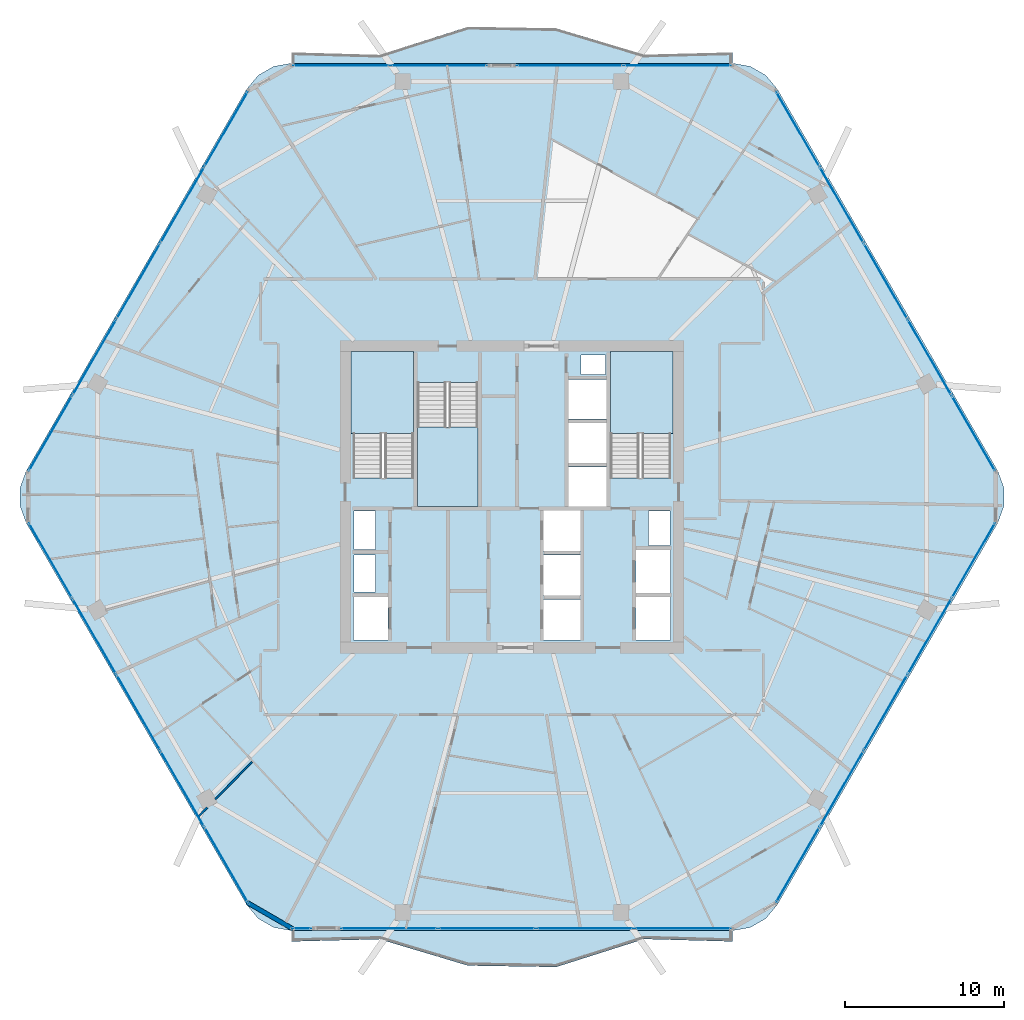
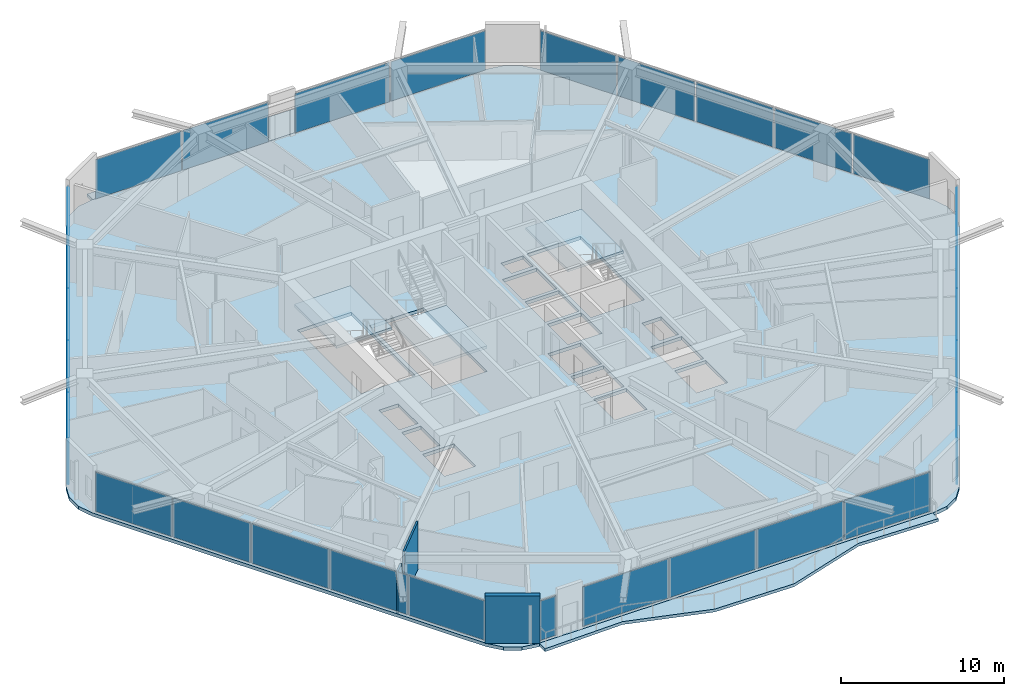
# One storey, part 18 of 27: 29 plates, 6 slabs, 3 walls, 11 elements without a shape of their own.
"""IFC4 building model written with IfcOpenShell, lengths in metres."""

from ifc_helpers import new_model, si_unit, direction, frame, frame_2d, origin, origin_2d, place, context, subcontext, project, spatial, polyline, rectangle, outline, extrude, material, layer, layer_set, type_object, element, aggregate, save


model = new_model("IFC4")

# Units and contexts
model_context = context("Model", 3, precision=1e-05, world=origin(), true_north=direction((0.0, 1.0)))
body_context = subcontext(model_context, "Body", "Model", "MODEL_VIEW")
ifc_project = project(units=[si_unit("LENGTHUNIT", "METRE"), si_unit("AREAUNIT", "SQUARE_METRE"), si_unit("VOLUMEUNIT", "CUBIC_METRE"), si_unit("PLANEANGLEUNIT", "RADIAN"), si_unit("MASSUNIT", "GRAM", prefix="KILO")], contexts=[model_context])

# Site, building, storey
site_placement = place(None, origin())
site = spatial("IfcSite", under=ifc_project, at=site_placement, CompositionType="ELEMENT")
building_placement = place(site_placement, origin())
building = spatial("IfcBuilding", under=site, at=building_placement, Name="Zuhravey Tower", CompositionType="ELEMENT")
storey_placement = place(building_placement, frame((0.0, 0.0, 173.199951171875)))
storey = spatial("IfcBuildingStorey", under=building, at=storey_placement, Name="L43", CompositionType="ELEMENT", Elevation=173.199951171875)

# Slabs
ifc_material_1 = material(Name="Concrete C50/60", Category="concrete")
ifc_layer_1 = layer(ifc_material_1, 0.25)
ifc_layer_set_1 = layer_set([ifc_layer_1], Name="Concrete C50/60")
slab_type_1 = type_object("IfcSlabType", Name="Residential Acoustic Slab 250", PredefinedType="FLOOR", material=ifc_layer_set_1)
slab_1_placement = place(storey_placement, frame((0.0, 0.0, -0.25)))
element("IfcSlab", 1, at=slab_1_placement, inside=storey, type_object=slab_type_1, Name="L43 Floor Slab FS25", PredefinedType="FLOOR", context=body_context, shape_type="SweptSolid", body=[
    extrude(outline(polyline([(66.61181640625, 30.375), (66.997802734375, 31.435546875), (66.997802734375, 32.564453125), (66.61181640625, 33.625), (52.713134765625, 57.697998046875), (51.98779296875, 58.562744140625), (51.01025390625, 59.127197265625), (49.898681640625, 59.322998046875), (22.101318359375, 59.322998046875), (20.98974609375, 59.127197265625), (20.01220703125, 58.562744140625), (19.286865234375, 57.697998046875), (5.38818359375, 33.625), (5.002197265625, 32.564453125), (5.002197265625, 31.435546875), (5.38818359375, 30.375), (19.286865234375, 6.302001953125), (20.01220703125, 5.437255859375), (20.98974609375, 4.872802734375), (22.101318359375, 4.677001953125), (49.898681640625, 4.677001953125), (51.01025390625, 4.872802734375), (51.98779296875, 5.437255859375), (52.713134765625, 6.302001953125), (66.61181640625, 30.375)]), holes=[polyline([(29.800048828125, 33.20068359375), (29.800048828125, 41.0), (26.0, 41.0), (26.0, 33.20068359375), (29.800048828125, 33.20068359375)]), polyline([(46.0, 33.20068359375), (46.0, 41.0), (42.199951171875, 41.0), (42.199951171875, 33.20068359375), (46.0, 33.20068359375)]), polyline([(30.050048828125, 39.199462890625), (30.050048828125, 31.39990234375), (33.85009765625, 31.39990234375), (33.85009765625, 39.199462890625), (30.050048828125, 39.199462890625)]), polyline([(38.0, 23.0), (40.300048828125, 23.0), (40.300048828125, 25.550048828125), (38.0, 25.550048828125), (38.0, 23.0)]), polyline([(38.0, 25.800048828125), (40.300048828125, 25.800048828125), (40.300048828125, 28.35009765625), (38.0, 28.35009765625), (38.0, 25.800048828125)]), polyline([(38.0, 28.60009765625), (40.300048828125, 28.60009765625), (40.300048828125, 31.14990234375), (38.0, 31.14990234375), (38.0, 28.60009765625)]), polyline([(39.550048828125, 31.39990234375), (41.949951171875, 31.39990234375), (41.949951171875, 33.89990234375), (39.550048828125, 33.89990234375), (39.550048828125, 31.39990234375)]), polyline([(39.550048828125, 34.14990234375), (41.949951171875, 34.14990234375), (41.949951171875, 36.64990234375), (39.550048828125, 36.64990234375), (39.550048828125, 34.14990234375)]), polyline([(39.550048828125, 36.89990234375), (41.949951171875, 36.89990234375), (41.949951171875, 39.39990234375), (39.550048828125, 39.39990234375), (39.550048828125, 36.89990234375)]), polyline([(26.0, 23.0), (28.199951171875, 23.0), (28.199951171875, 25.699951171875), (26.0, 25.699951171875), (26.0, 23.0)]), polyline([(43.800048828125, 23.0), (46.0, 23.0), (46.0, 25.699951171875), (43.800048828125, 25.699951171875), (43.800048828125, 23.0)]), polyline([(43.800048828125, 25.949951171875), (46.0, 25.949951171875), (46.0, 28.64990234375), (43.800048828125, 28.64990234375), (43.800048828125, 25.949951171875)]), polyline([(26.050048828125, 26.0), (27.39990234375, 26.0), (27.39990234375, 28.35009765625), (26.050048828125, 28.35009765625), (26.050048828125, 26.0)]), polyline([(26.050048828125, 28.699951171875), (27.39990234375, 28.699951171875), (27.39990234375, 31.10009765625), (26.050048828125, 31.10009765625), (26.050048828125, 28.699951171875)]), polyline([(44.60009765625, 28.949951171875), (45.949951171875, 28.949951171875), (45.949951171875, 31.10009765625), (44.60009765625, 31.10009765625), (44.60009765625, 28.949951171875)]), polyline([(40.35009765625, 39.699951171875), (41.89990234375, 39.699951171875), (41.89990234375, 40.949951171875), (40.35009765625, 40.949951171875), (40.35009765625, 39.699951171875)])]), origin(), (0.0, 0.0, 1.0), 0.25),
])
ifc_material_2 = material(Name="Concrete C40/50", Category="concrete")
ifc_layer_2 = layer(ifc_material_2, 0.219970703125)
ifc_layer_set_2 = layer_set([ifc_layer_2], Name="Concrete C40/50")
slab_type_2 = type_object("IfcSlabType", Name="Sinusoidal Residential Wave Balcony 220", PredefinedType="FLOOR", material=ifc_layer_set_2)
slab_2_placement = place(storey_placement, frame((0.0, 0.0, -0.219970703125)))
element("IfcSlab", 2, at=slab_2_placement, inside=storey, type_object=slab_type_2, Name="L43 Face 2 Wave Balcony WB22", PredefinedType="FLOOR", context=body_context, shape_type="SweptSolid", body=[
    extrude(outline(polyline([(49.889892578125, 59.30810546875), (22.110107421875, 59.30810546875), (22.110107421875, 60.008056640625), (27.666015625, 59.852783203125), (33.221923828125, 61.61767578125), (38.778076171875, 61.527099609375), (44.333984375, 59.865966796875), (49.889892578125, 60.008056640625), (49.889892578125, 59.30810546875)])), origin(), (0.0, 0.0, 1.0), 0.219970703125),
])
slab_3_placement = place(storey_placement, frame((0.0, 0.0, -0.219970703125)))
element("IfcSlab", 3, at=slab_3_placement, inside=storey, type_object=slab_type_2, Name="L43 Face 5 Wave Balcony WB22", PredefinedType="FLOOR", context=body_context, shape_type="SweptSolid", body=[
    extrude(outline(polyline([(22.110107421875, 4.69189453125), (49.889892578125, 4.69189453125), (49.889892578125, 3.991943359375), (44.333984375, 4.147216796875), (38.778076171875, 2.38232421875), (33.221923828125, 2.472900390625), (27.666015625, 4.134033203125), (22.110107421875, 3.991943359375), (22.110107421875, 4.69189453125)])), origin(), (0.0, 0.0, 1.0), 0.219970703125),
])

# Stair, slab
stair_type = type_object("IfcStairType", Name="Housing Storey Stair Assembly 3800", PredefinedType="HALF_TURN_STAIR", material=ifc_material_2)
stair_1_placement = place(storey_placement, origin())
stair_1 = element("IfcStair", 4, at=stair_1_placement, inside=storey, type_object=stair_type, Name="L43 Core Exit Stair ST1", PredefinedType="HALF_TURN_STAIR")
ifc_layer_3 = layer(ifc_material_2, 0.199951171875)
ifc_layer_set_3 = layer_set([ifc_layer_3], Name="Concrete C40/50")
slab_type_3 = type_object("IfcSlabType", Name="Stair Landing Slab 200", PredefinedType="LANDING", material=ifc_layer_set_3)
slab_4_placement = place(storey_placement, frame((0.0, 0.0, 1.699951171875)))
slab_4 = element("IfcSlab", 5, at=slab_4_placement, type_object=slab_type_3, Name="ST1 landing 1", PredefinedType="LANDING", context=body_context, shape_type="SweptSolid", body=[
    extrude(outline(polyline([(29.800048828125, 36.0), (29.800048828125, 41.14794921875), (25.85205078125, 41.14794921875), (25.85205078125, 36.0), (29.800048828125, 36.0)])), origin(), (0.0, 0.0, 1.0), 0.2001953125),
])
aggregate(stair_1, [slab_4])

stair_2_placement = place(storey_placement, origin())
stair_2 = element("IfcStair", 6, at=stair_2_placement, inside=storey, type_object=stair_type, Name="L43 Core Exit Stair ST2", PredefinedType="HALF_TURN_STAIR")
slab_5_placement = place(storey_placement, frame((0.0, 0.0, 1.699951171875)))
slab_5 = element("IfcSlab", 7, at=slab_5_placement, type_object=slab_type_3, Name="ST2 landing 1", PredefinedType="LANDING", context=body_context, shape_type="SweptSolid", body=[
    extrude(outline(polyline([(46.14794921875, 36.0), (46.14794921875, 41.14794921875), (42.199951171875, 41.14794921875), (42.199951171875, 36.0), (46.14794921875, 36.0)])), origin(), (0.0, 0.0, 1.0), 0.2001953125),
])
aggregate(stair_2, [slab_5])

stair_3_placement = place(storey_placement, origin())
stair_3 = element("IfcStair", 8, at=stair_3_placement, inside=storey, type_object=stair_type, Name="L43 Core Exit Stair ST3", PredefinedType="HALF_TURN_STAIR")
slab_6_placement = place(storey_placement, frame((0.0, 0.0, 1.699951171875)))
slab_6 = element("IfcSlab", 9, at=slab_6_placement, type_object=slab_type_3, Name="ST3 landing 1", PredefinedType="LANDING", context=body_context, shape_type="SweptSolid", body=[
    extrude(outline(polyline([(30.050048828125, 36.39990234375), (30.050048828125, 31.39990234375), (33.85009765625, 31.39990234375), (33.85009765625, 36.39990234375), (30.050048828125, 36.39990234375)])), origin(), (0.0, 0.0, 1.0), 0.2001953125),
])
aggregate(stair_3, [slab_6])

# Curtain wall, plates
ifc_material_3 = material(Name="Thermally broken anodised aluminium", Category="aluminium")
curtain_wall_type = type_object("IfcCurtainWallType", Name="Zone 1-2 Residential Curtain Wall CW3", PredefinedType="NOTDEFINED", material=ifc_material_3)
curtain_wall_1_placement = place(storey_placement, origin())
curtain_wall_1 = element("IfcCurtainWall", 10, at=curtain_wall_1_placement, inside=storey, type_object=curtain_wall_type, Name="L43 CW3 CW-L43-F6-1", PredefinedType="NOTDEFINED")
ifc_material_4 = material(Name="Triple low-E insulated vision glass", Category="glass")
ifc_layer_4 = layer(ifc_material_4, 0.0419921875)
ifc_layer_set_4 = layer_set([ifc_layer_4], Name="Triple low-E insulated vision glass")
plate_type = type_object("IfcPlateType", Name="Triple Low-E Vision Panel", PredefinedType="CURTAIN_PANEL", material=ifc_layer_set_4)
plate_1_placement = place(storey_placement, frame((65.074462890625, 27.9921875, 0.090087890625), z_axis=(0.0, 0.0, 1.0), x_axis=(-0.500000459979, -0.866025138215, 0.0)))
plate_1 = element("IfcPlate", 11, at=plate_1_placement, type_object=plate_type, Name="CW3 panel 1.1", PredefinedType="CURTAIN_PANEL", context=body_context, shape_type="SweptSolid", body=[
    extrude(rectangle(XDim=5.409423828125, YDim=0.0419921875, at=origin_2d()), origin(), (0.0, 0.0, 1.0), 2.94189453125),
])
plate_2_placement = place(storey_placement, frame((62.3134765625, 23.2099609375, 0.090087890625), z_axis=(0.0, 0.0, 1.0), x_axis=(-0.500000459979, -0.866025138215, 0.0)))
plate_2 = element("IfcPlate", 12, at=plate_2_placement, type_object=plate_type, Name="CW3 panel 2.1", PredefinedType="CURTAIN_PANEL", context=body_context, shape_type="SweptSolid", body=[
    extrude(rectangle(XDim=5.454345703125, YDim=0.0419921875, at=origin_2d()), origin(), (0.0, 0.0, 1.0), 2.94189453125),
])
plate_3_placement = place(storey_placement, frame((59.541259765625, 18.408447265625, 0.090087890625), z_axis=(0.0, 0.0, 1.0), x_axis=(-0.500000459979, -0.866025138215, 0.0)))
plate_3 = element("IfcPlate", 13, at=plate_3_placement, type_object=plate_type, Name="CW3 panel 3.1", PredefinedType="CURTAIN_PANEL", context=body_context, shape_type="SweptSolid", body=[
    extrude(rectangle(XDim=5.454345703125, YDim=0.0419921875, at=origin_2d()), origin(), (0.0, 0.0, 1.0), 2.94189453125),
])
plate_4_placement = place(storey_placement, frame((56.76904296875, 13.60693359375, 0.090087890625), z_axis=(0.0, 0.0, 1.0), x_axis=(-0.500000459979, -0.866025138215, 0.0)))
plate_4 = element("IfcPlate", 14, at=plate_4_placement, type_object=plate_type, Name="CW3 panel 4.1", PredefinedType="CURTAIN_PANEL", context=body_context, shape_type="SweptSolid", body=[
    extrude(rectangle(XDim=5.454345703125, YDim=0.0419921875, at=origin_2d()), origin(), (0.0, 0.0, 1.0), 2.94189453125),
])
plate_5_placement = place(storey_placement, frame((54.008056640625, 8.82470703125, 0.090087890625), z_axis=(0.0, 0.0, 1.0), x_axis=(-0.500000459979, -0.866025138215, 0.0)))
plate_5 = element("IfcPlate", 15, at=plate_5_placement, type_object=plate_type, Name="CW3 panel 5.1", PredefinedType="CURTAIN_PANEL", context=body_context, shape_type="SweptSolid", body=[
    extrude(rectangle(XDim=5.409423828125, YDim=0.0419921875, at=origin_2d()), origin(), (0.0, 0.0, 1.0), 2.94189453125),
])
aggregate(curtain_wall_1, [plate_1, plate_2, plate_3, plate_4, plate_5])

curtain_wall_2_placement = place(storey_placement, origin())
curtain_wall_2 = element("IfcCurtainWall", 16, at=curtain_wall_2_placement, inside=storey, type_object=curtain_wall_type, Name="L43 CW3 CW-L43-F5-1", PredefinedType="NOTDEFINED")
plate_6_placement = place(storey_placement, frame((46.74951171875, 4.81689453125, 0.090087890625), z_axis=(0.0, 0.0, 1.0), x_axis=(-1.0, 0.0, 0.0)))
plate_6 = element("IfcPlate", 17, at=plate_6_placement, type_object=plate_type, Name="CW3 panel 1.1", PredefinedType="CURTAIN_PANEL", context=body_context, shape_type="SweptSolid", body=[
    extrude(rectangle(XDim=6.043212890625, YDim=0.0419921875, at=origin_2d()), origin(), (0.0, 0.0, 1.0), 2.94189453125),
])
plate_7_placement = place(storey_placement, frame((40.59375, 4.81689453125, 0.090087890625), z_axis=(0.0, 0.0, 1.0), x_axis=(-1.0, 0.0, 0.0)))
plate_7 = element("IfcPlate", 18, at=plate_7_placement, type_object=plate_type, Name="CW3 panel 2.1", PredefinedType="CURTAIN_PANEL", context=body_context, shape_type="SweptSolid", body=[
    extrude(rectangle(XDim=6.088134765625, YDim=0.0419921875, at=origin_2d()), origin(), (0.0, 0.0, 1.0), 2.94189453125),
])
plate_8_placement = place(storey_placement, frame((34.41552734375, 4.81689453125, 0.090087890625), z_axis=(0.0, 0.0, 1.0), x_axis=(-1.0, 0.0, 0.0)))
plate_8 = element("IfcPlate", 19, at=plate_8_placement, type_object=plate_type, Name="CW3 panel 3.1", PredefinedType="CURTAIN_PANEL", context=body_context, shape_type="SweptSolid", body=[
    extrude(rectangle(XDim=6.088134765625, YDim=0.0419921875, at=origin_2d()), origin(), (0.0, 0.0, 1.0), 2.94189453125),
])
plate_9_placement = place(storey_placement, frame((28.259765625, 4.81689453125, 0.090087890625), z_axis=(0.0, 0.0, 1.0), x_axis=(-1.0, 0.0, 0.0)))
plate_9 = element("IfcPlate", 20, at=plate_9_placement, type_object=plate_type, Name="CW3 panel 4.1", PredefinedType="CURTAIN_PANEL", context=body_context, shape_type="SweptSolid", body=[
    extrude(rectangle(XDim=6.043212890625, YDim=0.0419921875, at=origin_2d()), origin(), (0.0, 0.0, 1.0), 2.94189453125),
])
aggregate(curtain_wall_2, [plate_6, plate_7, plate_8, plate_9])

# Curtain wall, plate
curtain_wall_3_placement = place(storey_placement, origin())
curtain_wall_3 = element("IfcCurtainWall", 21, at=curtain_wall_3_placement, inside=storey, type_object=curtain_wall_type, Name="L43 CW3 CW-L43-F5-2", PredefinedType="NOTDEFINED")
plate_10_placement = place(storey_placement, frame((22.79345703125, 4.81689453125, 0.090087890625), z_axis=(0.0, 0.0, 1.0), x_axis=(-1.0, 0.0, 0.0)))
plate_10 = element("IfcPlate", 22, at=plate_10_placement, type_object=plate_type, Name="CW3 panel 1.1", PredefinedType="CURTAIN_PANEL", context=body_context, shape_type="SweptSolid", body=[
    extrude(rectangle(XDim=1.12939453125, YDim=0.0419921875, at=origin_2d()), origin(), (0.0, 0.0, 1.0), 2.94189453125),
])
aggregate(curtain_wall_3, [plate_10])

# Curtain wall, plates
curtain_wall_4_placement = place(storey_placement, origin())
curtain_wall_4 = element("IfcCurtainWall", 23, at=curtain_wall_4_placement, inside=storey, type_object=curtain_wall_type, Name="L43 CW3 CW-L43-F4-1", PredefinedType="NOTDEFINED")
plate_11_placement = place(storey_placement, frame((17.991943359375, 8.82470703125, 0.090087890625), z_axis=(0.0, 0.0, 1.0), x_axis=(-0.500000459979, 0.866025138215, 0.0)))
plate_11 = element("IfcPlate", 24, at=plate_11_placement, type_object=plate_type, Name="CW3 panel 1.1", PredefinedType="CURTAIN_PANEL", context=body_context, shape_type="SweptSolid", body=[
    extrude(rectangle(XDim=5.409423828125, YDim=0.0419921875, at=origin_2d()), origin(), (0.0, 0.0, 1.0), 2.94189453125),
])
plate_12_placement = place(storey_placement, frame((15.23095703125, 13.60693359375, 0.090087890625), z_axis=(0.0, 0.0, 1.0), x_axis=(-0.500000459979, 0.866025138215, 0.0)))
plate_12 = element("IfcPlate", 25, at=plate_12_placement, type_object=plate_type, Name="CW3 panel 2.1", PredefinedType="CURTAIN_PANEL", context=body_context, shape_type="SweptSolid", body=[
    extrude(rectangle(XDim=5.454345703125, YDim=0.0419921875, at=origin_2d()), origin(), (0.0, 0.0, 1.0), 2.94189453125),
])
plate_13_placement = place(storey_placement, frame((12.458740234375, 18.408447265625, 0.090087890625), z_axis=(0.0, 0.0, 1.0), x_axis=(-0.500000459979, 0.866025138215, 0.0)))
plate_13 = element("IfcPlate", 26, at=plate_13_placement, type_object=plate_type, Name="CW3 panel 3.1", PredefinedType="CURTAIN_PANEL", context=body_context, shape_type="SweptSolid", body=[
    extrude(rectangle(XDim=5.454345703125, YDim=0.0419921875, at=origin_2d()), origin(), (0.0, 0.0, 1.0), 2.94189453125),
])
plate_14_placement = place(storey_placement, frame((9.6865234375, 23.2099609375, 0.090087890625), z_axis=(0.0, 0.0, 1.0), x_axis=(-0.500000459979, 0.866025138215, 0.0)))
plate_14 = element("IfcPlate", 27, at=plate_14_placement, type_object=plate_type, Name="CW3 panel 4.1", PredefinedType="CURTAIN_PANEL", context=body_context, shape_type="SweptSolid", body=[
    extrude(rectangle(XDim=5.454345703125, YDim=0.0419921875, at=origin_2d()), origin(), (0.0, 0.0, 1.0), 2.94189453125),
])
plate_15_placement = place(storey_placement, frame((6.925537109375, 27.9921875, 0.090087890625), z_axis=(0.0, 0.0, 1.0), x_axis=(-0.500000459979, 0.866025138215, 0.0)))
plate_15 = element("IfcPlate", 28, at=plate_15_placement, type_object=plate_type, Name="CW3 panel 5.1", PredefinedType="CURTAIN_PANEL", context=body_context, shape_type="SweptSolid", body=[
    extrude(rectangle(XDim=5.409423828125, YDim=0.0419921875, at=origin_2d()), origin(), (0.0, 0.0, 1.0), 2.94189453125),
])
aggregate(curtain_wall_4, [plate_11, plate_12, plate_13, plate_14, plate_15])

curtain_wall_5_placement = place(storey_placement, origin())
curtain_wall_5 = element("IfcCurtainWall", 29, at=curtain_wall_5_placement, inside=storey, type_object=curtain_wall_type, Name="L43 CW3 CW-L43-F3-1", PredefinedType="NOTDEFINED")
plate_16_placement = place(storey_placement, frame((6.925537109375, 36.0078125, 0.090087890625), z_axis=(0.0, 0.0, 1.0), x_axis=(0.500000459979, 0.866025138215, 0.0)))
plate_16 = element("IfcPlate", 30, at=plate_16_placement, type_object=plate_type, Name="CW3 panel 1.1", PredefinedType="CURTAIN_PANEL", context=body_context, shape_type="SweptSolid", body=[
    extrude(rectangle(XDim=5.409423828125, YDim=0.0419921875, at=origin_2d()), origin(), (0.0, 0.0, 1.0), 2.94189453125),
])
plate_17_placement = place(storey_placement, frame((9.6865234375, 40.7900390625, 0.090087890625), z_axis=(0.0, 0.0, 1.0), x_axis=(0.500000459979, 0.866025138215, 0.0)))
plate_17 = element("IfcPlate", 31, at=plate_17_placement, type_object=plate_type, Name="CW3 panel 2.1", PredefinedType="CURTAIN_PANEL", context=body_context, shape_type="SweptSolid", body=[
    extrude(rectangle(XDim=5.454345703125, YDim=0.0419921875, at=origin_2d()), origin(), (0.0, 0.0, 1.0), 2.94189453125),
])
plate_18_placement = place(storey_placement, frame((12.458740234375, 45.591552734375, 0.090087890625), z_axis=(0.0, 0.0, 1.0), x_axis=(0.500000459979, 0.866025138215, 0.0)))
plate_18 = element("IfcPlate", 32, at=plate_18_placement, type_object=plate_type, Name="CW3 panel 3.1", PredefinedType="CURTAIN_PANEL", context=body_context, shape_type="SweptSolid", body=[
    extrude(rectangle(XDim=5.454345703125, YDim=0.0419921875, at=origin_2d()), origin(), (0.0, 0.0, 1.0), 2.94189453125),
])
plate_19_placement = place(storey_placement, frame((15.23095703125, 50.39306640625, 0.090087890625), z_axis=(0.0, 0.0, 1.0), x_axis=(0.500000459979, 0.866025138215, 0.0)))
plate_19 = element("IfcPlate", 33, at=plate_19_placement, type_object=plate_type, Name="CW3 panel 4.1", PredefinedType="CURTAIN_PANEL", context=body_context, shape_type="SweptSolid", body=[
    extrude(rectangle(XDim=5.454345703125, YDim=0.0419921875, at=origin_2d()), origin(), (0.0, 0.0, 1.0), 2.94189453125),
])
plate_20_placement = place(storey_placement, frame((17.991943359375, 55.17529296875, 0.090087890625), z_axis=(0.0, 0.0, 1.0), x_axis=(0.500000459979, 0.866025138215, 0.0)))
plate_20 = element("IfcPlate", 34, at=plate_20_placement, type_object=plate_type, Name="CW3 panel 5.1", PredefinedType="CURTAIN_PANEL", context=body_context, shape_type="SweptSolid", body=[
    extrude(rectangle(XDim=5.409423828125, YDim=0.0419921875, at=origin_2d()), origin(), (0.0, 0.0, 1.0), 2.94189453125),
])
aggregate(curtain_wall_5, [plate_16, plate_17, plate_18, plate_19, plate_20])

curtain_wall_6_placement = place(storey_placement, origin())
curtain_wall_6 = element("IfcCurtainWall", 35, at=curtain_wall_6_placement, inside=storey, type_object=curtain_wall_type, Name="L43 CW3 CW-L43-F2-1", PredefinedType="NOTDEFINED")
plate_21_placement = place(storey_placement, frame((25.2548828125, 59.18310546875, 0.090087890625), z_axis=(0.0, 0.0, 1.0), x_axis=(1.0, 0.0, 0.0)))
plate_21 = element("IfcPlate", 36, at=plate_21_placement, type_object=plate_type, Name="CW3 panel 1.1", PredefinedType="CURTAIN_PANEL", context=body_context, shape_type="SweptSolid", body=[
    extrude(rectangle(XDim=6.052001953125, YDim=0.0419921875, at=origin_2d()), origin(), (0.0, 0.0, 1.0), 2.94189453125),
])
plate_22_placement = place(storey_placement, frame((31.39697265625, 59.18310546875, 0.090087890625), z_axis=(0.0, 0.0, 1.0), x_axis=(1.0, 0.0, 0.0)))
plate_22 = element("IfcPlate", 37, at=plate_22_placement, type_object=plate_type, Name="CW3 panel 2.1", PredefinedType="CURTAIN_PANEL", context=body_context, shape_type="SweptSolid", body=[
    extrude(rectangle(XDim=6.052001953125, YDim=0.0419921875, at=origin_2d()), origin(), (0.0, 0.0, 1.0), 2.94189453125),
])
aggregate(curtain_wall_6, [plate_21, plate_22])

curtain_wall_7_placement = place(storey_placement, origin())
curtain_wall_7 = element("IfcCurtainWall", 38, at=curtain_wall_7_placement, inside=storey, type_object=curtain_wall_type, Name="L43 CW3 CW-L43-F2-2", PredefinedType="NOTDEFINED")
plate_23_placement = place(storey_placement, frame((39.647705078125, 59.18310546875, 0.090087890625), z_axis=(0.0, 0.0, 1.0), x_axis=(1.0, 0.0, 0.0)))
plate_23 = element("IfcPlate", 39, at=plate_23_placement, type_object=plate_type, Name="CW3 panel 1.1", PredefinedType="CURTAIN_PANEL", context=body_context, shape_type="SweptSolid", body=[
    extrude(rectangle(XDim=6.68896484375, YDim=0.0419921875, at=origin_2d()), origin(), (0.0, 0.0, 1.0), 2.94189453125),
])
plate_24_placement = place(storey_placement, frame((46.426513671875, 59.18310546875, 0.090087890625), z_axis=(0.0, 0.0, 1.0), x_axis=(1.0, 0.0, 0.0)))
plate_24 = element("IfcPlate", 40, at=plate_24_placement, type_object=plate_type, Name="CW3 panel 2.1", PredefinedType="CURTAIN_PANEL", context=body_context, shape_type="SweptSolid", body=[
    extrude(rectangle(XDim=6.68896484375, YDim=0.0419921875, at=origin_2d()), origin(), (0.0, 0.0, 1.0), 2.94189453125),
])
aggregate(curtain_wall_7, [plate_23, plate_24])

curtain_wall_8_placement = place(storey_placement, origin())
curtain_wall_8 = element("IfcCurtainWall", 41, at=curtain_wall_8_placement, inside=storey, type_object=curtain_wall_type, Name="L43 CW3 CW-L43-F1-1", PredefinedType="NOTDEFINED")
plate_25_placement = place(storey_placement, frame((54.008056640625, 55.17529296875, 0.090087890625), z_axis=(0.0, 0.0, 1.0), x_axis=(0.500000459979, -0.866025138215, 0.0)))
plate_25 = element("IfcPlate", 42, at=plate_25_placement, type_object=plate_type, Name="CW3 panel 1.1", PredefinedType="CURTAIN_PANEL", context=body_context, shape_type="SweptSolid", body=[
    extrude(rectangle(XDim=5.409423828125, YDim=0.0419921875, at=origin_2d()), origin(), (0.0, 0.0, 1.0), 2.94189453125),
])
plate_26_placement = place(storey_placement, frame((56.76904296875, 50.39306640625, 0.090087890625), z_axis=(0.0, 0.0, 1.0), x_axis=(0.500000459979, -0.866025138215, 0.0)))
plate_26 = element("IfcPlate", 43, at=plate_26_placement, type_object=plate_type, Name="CW3 panel 2.1", PredefinedType="CURTAIN_PANEL", context=body_context, shape_type="SweptSolid", body=[
    extrude(rectangle(XDim=5.454345703125, YDim=0.0419921875, at=origin_2d()), origin(), (0.0, 0.0, 1.0), 2.94189453125),
])
plate_27_placement = place(storey_placement, frame((59.541259765625, 45.591552734375, 0.090087890625), z_axis=(0.0, 0.0, 1.0), x_axis=(0.500000459979, -0.866025138215, 0.0)))
plate_27 = element("IfcPlate", 44, at=plate_27_placement, type_object=plate_type, Name="CW3 panel 3.1", PredefinedType="CURTAIN_PANEL", context=body_context, shape_type="SweptSolid", body=[
    extrude(rectangle(XDim=5.454345703125, YDim=0.0419921875, at=origin_2d()), origin(), (0.0, 0.0, 1.0), 2.94189453125),
])
plate_28_placement = place(storey_placement, frame((62.3134765625, 40.7900390625, 0.090087890625), z_axis=(0.0, 0.0, 1.0), x_axis=(0.500000459979, -0.866025138215, 0.0)))
plate_28 = element("IfcPlate", 45, at=plate_28_placement, type_object=plate_type, Name="CW3 panel 4.1", PredefinedType="CURTAIN_PANEL", context=body_context, shape_type="SweptSolid", body=[
    extrude(rectangle(XDim=5.454345703125, YDim=0.0419921875, at=origin_2d()), origin(), (0.0, 0.0, 1.0), 2.94189453125),
])
plate_29_placement = place(storey_placement, frame((65.074462890625, 36.0078125, 0.090087890625), z_axis=(0.0, 0.0, 1.0), x_axis=(0.500000459979, -0.866025138215, 0.0)))
plate_29 = element("IfcPlate", 46, at=plate_29_placement, type_object=plate_type, Name="CW3 panel 5.1", PredefinedType="CURTAIN_PANEL", context=body_context, shape_type="SweptSolid", body=[
    extrude(rectangle(XDim=5.409423828125, YDim=0.0419921875, at=origin_2d()), origin(), (0.0, 0.0, 1.0), 2.94189453125),
])
aggregate(curtain_wall_8, [plate_25, plate_26, plate_27, plate_28, plate_29])

# Walls
ifc_material_5 = material(Name="Precast concrete C40/50", Category="concrete")
ifc_layer_5 = layer(ifc_material_5, 0.280029296875)
ifc_layer_set_5 = layer_set([ifc_layer_5], Name="Precast concrete C40/50")
wall_type_1 = type_object("IfcWallType", Name="Crown Architectural Wall 280", PredefinedType="SOLIDWALL", material=ifc_layer_set_5)
wall_1_placement = place(storey_placement, frame((22.22119140625, 4.769287109375, 0.0), z_axis=(0.0, 0.0, 1.0), x_axis=(-0.866020068361, 0.500009241111, 0.0)))
element("IfcWall", 47, at=wall_1_placement, inside=storey, type_object=wall_type_1, Name="L43 Rounded Corner Closure Wall EW28-04", PredefinedType="SOLIDWALL", context=body_context, shape_type="SweptSolid", body=[
    extrude(rectangle(XDim=3.365234375, YDim=0.280029296875, at=frame_2d((1.6826171875, 0.0))), origin(), (0.0, 0.0, 1.0), 3.550048828125),
])
ifc_material_6 = material(Name="Gypsum metal-stud partition")
ifc_layer_6 = layer(ifc_material_6, 0.1201171875)
ifc_layer_set_6 = layer_set([ifc_layer_6], Name="Gypsum metal-stud partition")
wall_type_2 = type_object("IfcWallType", Name="Unit Internal Partition 120", PredefinedType="PARTITIONING", material=ifc_layer_set_6)
wall_2_placement = place(storey_placement, frame((19.6162109375, 15.3037109375, 0.0), z_axis=(0.0, 0.0, 1.0), x_axis=(-0.700410055049, -0.713740677548, 0.0)))
element("IfcWall", 48, at=wall_2_placement, inside=storey, type_object=wall_type_2, Name="L43 IW12 Partition 082", PredefinedType="PARTITIONING", context=body_context, shape_type="SweptSolid", body=[
    extrude(rectangle(XDim=3.31494140625, YDim=0.1201171875, at=frame_2d((1.657470703125, 0.0))), origin(), (0.0, 0.0, 1.0), 3.550048828125),
])
wall_3_placement = place(storey_placement, frame((16.7998046875, 12.433349609375, 0.0), z_axis=(0.0, 0.0, 1.0), x_axis=(-0.700476016825, -0.713675941765, 0.0)))
element("IfcWall", 49, at=wall_3_placement, inside=storey, type_object=wall_type_2, Name="L43 IW12 Partition 083", PredefinedType="PARTITIONING", context=body_context, shape_type="SweptSolid", body=[
    extrude(rectangle(XDim=0.832275390625, YDim=0.1201171875, at=frame_2d((0.416015625, 0.0))), origin(), (0.0, 0.0, 1.0), 3.1220703125),
])

save(model, "model.ifc")
